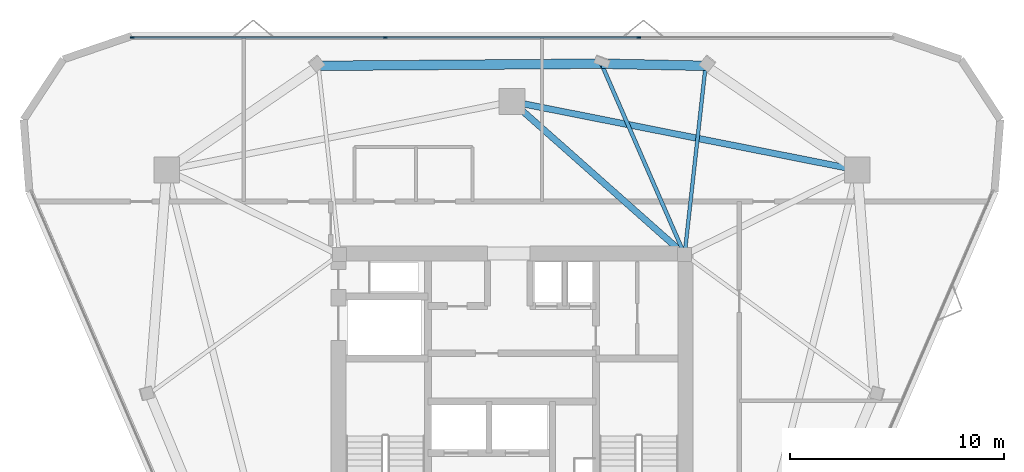
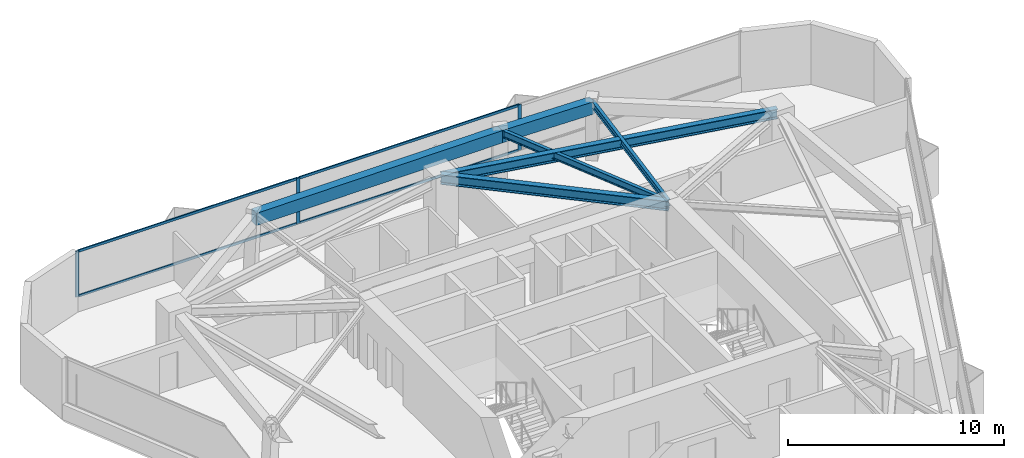
# One storey, part 6 of 11: 7 members, 6 beams, 1 element without a shape of its own.
"""IFC4 building model written with IfcOpenShell, lengths in metres."""

from ifc_helpers import new_model, si_unit, direction, frame, origin, origin_2d, place, context, subcontext, project, spatial, rectangle, i_section, extrude, material, layer, layer_set, material_profile, profile_set, type_object, element, aggregate, save


model = new_model("IFC4")

# Units and contexts
model_context = context("Model", 3, precision=1e-05, world=origin(), true_north=direction((0.0, 1.0)))
body_context = subcontext(model_context, "Body", "Model", "MODEL_VIEW")
ifc_project = project(units=[si_unit("LENGTHUNIT", "METRE"), si_unit("AREAUNIT", "SQUARE_METRE"), si_unit("VOLUMEUNIT", "CUBIC_METRE"), si_unit("PLANEANGLEUNIT", "RADIAN"), si_unit("MASSUNIT", "GRAM", prefix="KILO")], contexts=[model_context])

# Site, building, storey
site_placement = place(None, origin())
site = spatial("IfcSite", under=ifc_project, at=site_placement, CompositionType="ELEMENT")
building_placement = place(site_placement, origin())
building = spatial("IfcBuilding", under=site, at=building_placement, Name="Talyreon Biosciences Tower", CompositionType="ELEMENT")
storey_placement = place(building_placement, frame((0.0, 0.0, 264.449951171875)))
storey = spatial("IfcBuildingStorey", under=building, at=storey_placement, Name="L70", CompositionType="ELEMENT", Elevation=264.449951171875)

# Curtain wall, members
ifc_material_1 = material(Name="Thermally broken aluminium and low-E glazing", Category="aluminium")
ifc_layer = layer(ifc_material_1, 0.175048828125)
ifc_layer_set = layer_set([ifc_layer], Name="Thermally broken aluminium and low-E glazing")
curtain_wall_type = type_object("IfcCurtainWallType", Name="CurtainWall_Zone5CompLab", PredefinedType="NOTDEFINED", material=ifc_layer_set)
curtain_wall_placement = place(storey_placement, origin())
curtain_wall = element("IfcCurtainWall", 1, at=curtain_wall_placement, inside=storey, type_object=curtain_wall_type, Name="L70 Unitised Curtain Wall FCW-L70-04", PredefinedType="NOTDEFINED")
ifc_material_2 = material(Name="Anodised thermally broken aluminium", Category="aluminium")
ifc_material_profile_1 = material_profile(ifc_material_2, rectangle(XDim=0.06494140625, YDim=0.179931640625, at=origin_2d()), Name="ALUM MULLION 65x180")
ifc_profile_set_1 = profile_set([ifc_material_profile_1], Name="Anodised thermally broken aluminium")
member_type_1 = type_object("IfcMemberType", Name="CWMullion_65x180", PredefinedType="MULLION", material=ifc_profile_set_1)
member_1_placement = place(storey_placement, frame((48.2939453125, 84.77099609375, 0.81005859375), z_axis=(0.0, 0.0, 1.0), x_axis=(0.0, 1.0, 0.0)))
member_1 = element("IfcMember", 2, at=member_1_placement, type_object=member_type_1, Name="CW6 mullion 1", PredefinedType="MULLION", context=body_context, shape_type="SweptSolid", body=[
    extrude(rectangle(XDim=0.06494140625, YDim=0.179931640625, at=origin_2d()), origin(), (0.0, 0.0, 1.0), 2.590087890625),
])
member_2_placement = place(storey_placement, frame((60.087158203125, 84.77099609375, 0.81005859375), z_axis=(0.0, 0.0, 1.0), x_axis=(0.0, 1.0, 0.0)))
member_2 = element("IfcMember", 3, at=member_2_placement, type_object=member_type_1, Name="CW6 mullion 2", PredefinedType="MULLION", context=body_context, shape_type="SweptSolid", body=[
    extrude(rectangle(XDim=0.06494140625, YDim=0.179931640625, at=origin_2d()), origin(), (0.0, 0.0, 1.0), 2.590087890625),
])
member_3_placement = place(storey_placement, frame((71.912841796875, 84.77099609375, 0.81005859375), z_axis=(0.0, 0.0, 1.0), x_axis=(0.0, 1.0, 0.0)))
member_3 = element("IfcMember", 4, at=member_3_placement, type_object=member_type_1, Name="CW6 mullion 3", PredefinedType="MULLION", context=body_context, shape_type="SweptSolid", body=[
    extrude(rectangle(XDim=0.06494140625, YDim=0.179931640625, at=origin_2d()), origin(), (0.0, 0.0, 1.0), 2.590087890625),
])
ifc_material_profile_2 = material_profile(ifc_material_2, rectangle(XDim=0.06494140625, YDim=0.139892578125, at=origin_2d()), Name="ALUM TRANSOM 65x140")
ifc_profile_set_2 = profile_set([ifc_material_profile_2], Name="Anodised thermally broken aluminium")
member_type_2 = type_object("IfcMemberType", Name="CWTransom_65x140", PredefinedType="USERDEFINED", material=ifc_profile_set_2)
member_4_placement = place(storey_placement, frame((48.326416015625, 84.77099609375, 0.842529296875), z_axis=(1.0, 0.0, 0.0), x_axis=(0.0, 1.0, 0.0)))
member_4 = element("IfcMember", 5, at=member_4_placement, type_object=member_type_2, Name="CW6 transom 1.1", ObjectType="TRANSOM", PredefinedType="USERDEFINED", context=body_context, shape_type="SweptSolid", body=[
    extrude(rectangle(XDim=0.06494140625, YDim=0.139892578125, at=origin_2d()), origin(), (0.0, 0.0, 1.0), 11.728271484375),
])
member_5_placement = place(storey_placement, frame((48.326416015625, 84.77099609375, 3.367431640625), z_axis=(1.0, 0.0, 0.0), x_axis=(0.0, 1.0, 0.0)))
member_5 = element("IfcMember", 6, at=member_5_placement, type_object=member_type_2, Name="CW6 transom 1.2", ObjectType="TRANSOM", PredefinedType="USERDEFINED", context=body_context, shape_type="SweptSolid", body=[
    extrude(rectangle(XDim=0.06494140625, YDim=0.139892578125, at=origin_2d()), origin(), (0.0, 0.0, 1.0), 11.728271484375),
])
member_6_placement = place(storey_placement, frame((60.11962890625, 84.77099609375, 0.842529296875), z_axis=(1.0, 0.0, 0.0), x_axis=(0.0, 1.0, 0.0)))
member_6 = element("IfcMember", 7, at=member_6_placement, type_object=member_type_2, Name="CW6 transom 2.1", ObjectType="TRANSOM", PredefinedType="USERDEFINED", context=body_context, shape_type="SweptSolid", body=[
    extrude(rectangle(XDim=0.06494140625, YDim=0.139892578125, at=origin_2d()), origin(), (0.0, 0.0, 1.0), 11.7607421875),
])
member_7_placement = place(storey_placement, frame((60.11962890625, 84.77099609375, 3.367431640625), z_axis=(1.0, 0.0, 0.0), x_axis=(0.0, 1.0, 0.0)))
member_7 = element("IfcMember", 8, at=member_7_placement, type_object=member_type_2, Name="CW6 transom 2.2", ObjectType="TRANSOM", PredefinedType="USERDEFINED", context=body_context, shape_type="SweptSolid", body=[
    extrude(rectangle(XDim=0.06494140625, YDim=0.139892578125, at=origin_2d()), origin(), (0.0, 0.0, 1.0), 11.7607421875),
])
aggregate(curtain_wall, [member_1, member_2, member_3, member_4, member_5, member_6, member_7])

# Beams
ifc_material_3 = material(Name="Precast concrete C45/55", Category="concrete")
ifc_material_profile_3 = material_profile(ifc_material_3, rectangle(XDim=0.449951171875, YDim=0.699951171875, at=origin_2d()), Name="RCB 450x700")
ifc_profile_set_3 = profile_set([ifc_material_profile_3], Name="Precast concrete C45/55")
beam_type_1 = type_object("IfcBeamType", Name="ExpressedSpandrel_450x700", PredefinedType="SPANDREL", material=ifc_profile_set_3)
beam_1_placement = place(storey_placement, frame((75.028076171875, 83.456298828125, 3.050048828125), z_axis=(-0.999788081007, 0.020586235095, 0.0), x_axis=(-0.020586235095, -0.999788081007, 0.0)))
element("IfcBeam", 9, at=beam_1_placement, inside=storey, type_object=beam_type_1, Name="L70 Expressed Horizontal Concrete Spandrel 06", PredefinedType="SPANDREL", context=body_context, shape_type="SweptSolid", body=[
    extrude(rectangle(XDim=0.449951171875, YDim=0.699951171875, at=origin_2d()), origin(), (0.0, 0.0, 1.0), 4.8623046875),
])
beam_2_placement = place(storey_placement, frame((70.166748046875, 83.556396484375, 3.050048828125), z_axis=(-0.999971226555, -0.007585912054, 0.0), x_axis=(0.007585912054, -0.999971226555, 0.0)))
element("IfcBeam", 10, at=beam_2_placement, inside=storey, type_object=beam_type_1, Name="L70 Expressed Horizontal Concrete Spandrel 07", PredefinedType="SPANDREL", context=body_context, shape_type="SweptSolid", body=[
    extrude(rectangle(XDim=0.449951171875, YDim=0.699951171875, at=origin_2d()), origin(), (0.0, 0.0, 1.0), 13.1953125),
])
ifc_material_4 = material(Name="Steel SM355", Category="steel")
ifc_material_profile_4 = material_profile(ifc_material_4, i_section(OverallWidth=0.300048828125, OverallDepth=0.550048828125, WebThickness=0.014892578125, FlangeThickness=0.029052734375, FilletRadius=0.027099609375, at=origin_2d()), Name="HE550B")
ifc_profile_set_4 = profile_set([ifc_material_profile_4], Name="Steel SM355")
beam_type_2 = type_object("IfcBeamType", Name="SteelBeam_HE550B", PredefinedType="BEAM", material=ifc_profile_set_4)
beam_3_placement = place(storey_placement, frame((82.102294921875, 78.5986328125, 3.125), z_axis=(-0.980933730698, 0.194342522311, 0.0), x_axis=(-0.194342522311, -0.980933730698, 0.0)))
element("IfcBeam", 11, at=beam_3_placement, inside=storey, type_object=beam_type_2, Name="L70 Mega-Ring Girder 3", PredefinedType="BEAM", context=body_context, shape_type="SweptSolid", body=[
    extrude(i_section(OverallWidth=0.300048828125, OverallDepth=0.550048828125, WebThickness=0.014892578125, FlangeThickness=0.029052734375, FilletRadius=0.027099609375, at=origin_2d()), origin(), (0.0, 0.0, 1.0), 16.415283203125),
])
beam_4_placement = place(storey_placement, frame((74.050048828125, 74.64990234375, 3.125), z_axis=(-0.748178733955, 0.663497235908, 0.0), x_axis=(-0.663497235908, -0.748178733955, 0.0)))
element("IfcBeam", 12, at=beam_4_placement, inside=storey, type_object=beam_type_2, Name="L70 Radial Primary Girder 4", PredefinedType="BEAM", context=body_context, shape_type="SweptSolid", body=[
    extrude(i_section(OverallWidth=0.300048828125, OverallDepth=0.550048828125, WebThickness=0.014892578125, FlangeThickness=0.029052734375, FilletRadius=0.027099609375, at=origin_2d()), origin(), (0.0, 0.0, 1.0), 10.759521484375),
])
ifc_material_profile_5 = material_profile(ifc_material_4, i_section(OverallWidth=0.169921875, OverallDepth=0.360107421875, WebThickness=0.008056640625, FlangeThickness=0.0126953125, FilletRadius=0.01806640625, at=origin_2d()), Name="IPE360")
ifc_profile_set_5 = profile_set([ifc_material_profile_5], Name="Steel SM355")
beam_type_3 = type_object("IfcBeamType", Name="SteelJoist_IPE360", PredefinedType="JOIST", material=ifc_profile_set_5)
beam_5_placement = place(storey_placement, frame((74.050048828125, 74.64990234375, 3.219970703125), z_axis=(0.110380114759, 0.993889445696, 0.0), x_axis=(-0.993889445696, 0.110380114759, 0.0)))
element("IfcBeam", 13, at=beam_5_placement, inside=storey, type_object=beam_type_3, Name="L70 Radial Composite Floor Joist PC-N1", PredefinedType="JOIST", context=body_context, shape_type="SweptSolid", body=[
    extrude(i_section(OverallWidth=0.169921875, OverallDepth=0.360107421875, WebThickness=0.008056640625, FlangeThickness=0.0126953125, FilletRadius=0.01806640625, at=origin_2d()), origin(), (0.0, 0.0, 1.0), 8.860595703125),
])
ifc_material_profile_6 = material_profile(ifc_material_4, i_section(OverallWidth=0.179931640625, OverallDepth=0.39990234375, WebThickness=0.008544921875, FlangeThickness=0.013427734375, FilletRadius=0.02099609375, at=origin_2d()), Name="IPE400")
ifc_profile_set_6 = profile_set([ifc_material_profile_6], Name="Steel SM355")
beam_type_4 = type_object("IfcBeamType", Name="SteelJoist_IPE400", PredefinedType="JOIST", material=ifc_profile_set_6)
beam_6_placement = place(storey_placement, frame((74.050048828125, 74.64990234375, 3.199951171875), z_axis=(-0.39967042032, 0.916658908821, 0.0), x_axis=(-0.916658908821, -0.39967042032, 0.0)))
element("IfcBeam", 14, at=beam_6_placement, inside=storey, type_object=beam_type_4, Name="L70 Radial Composite Floor Joist PL-N", PredefinedType="JOIST", context=body_context, shape_type="SweptSolid", body=[
    extrude(i_section(OverallWidth=0.179931640625, OverallDepth=0.39990234375, WebThickness=0.008544921875, FlangeThickness=0.013427734375, FilletRadius=0.02099609375, at=origin_2d()), origin(), (0.0, 0.0, 1.0), 9.71630859375),
])

save(model, "model.ifc")
